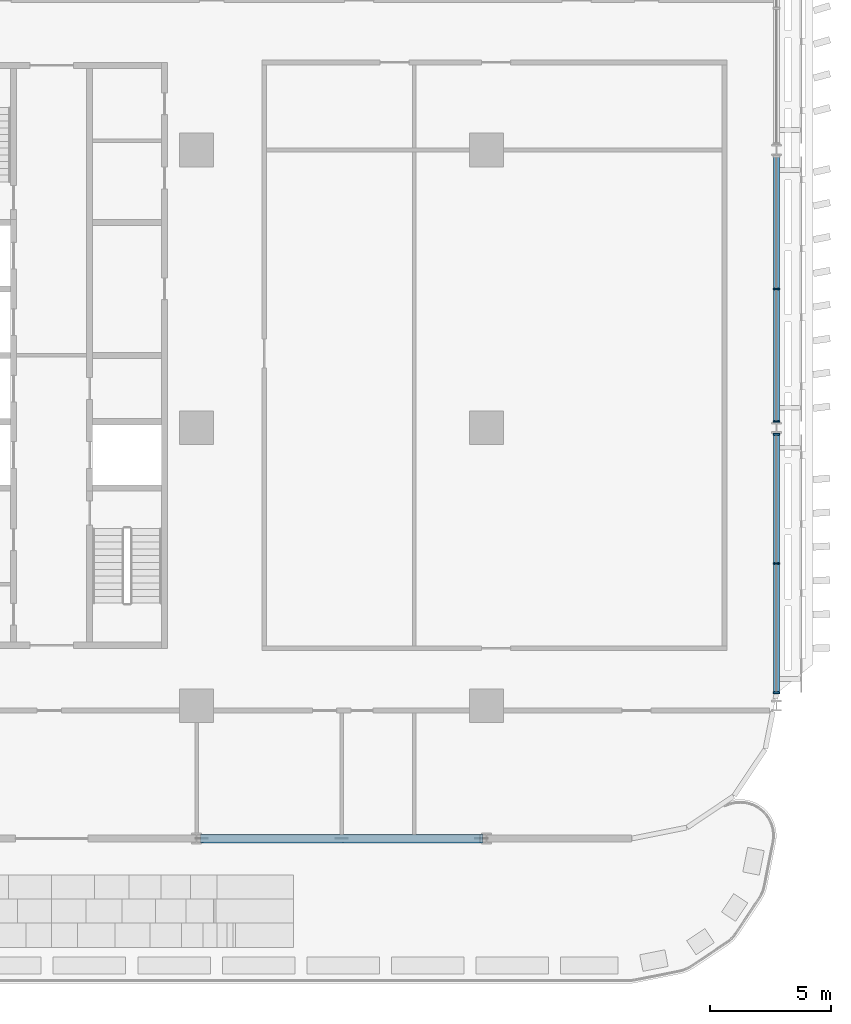
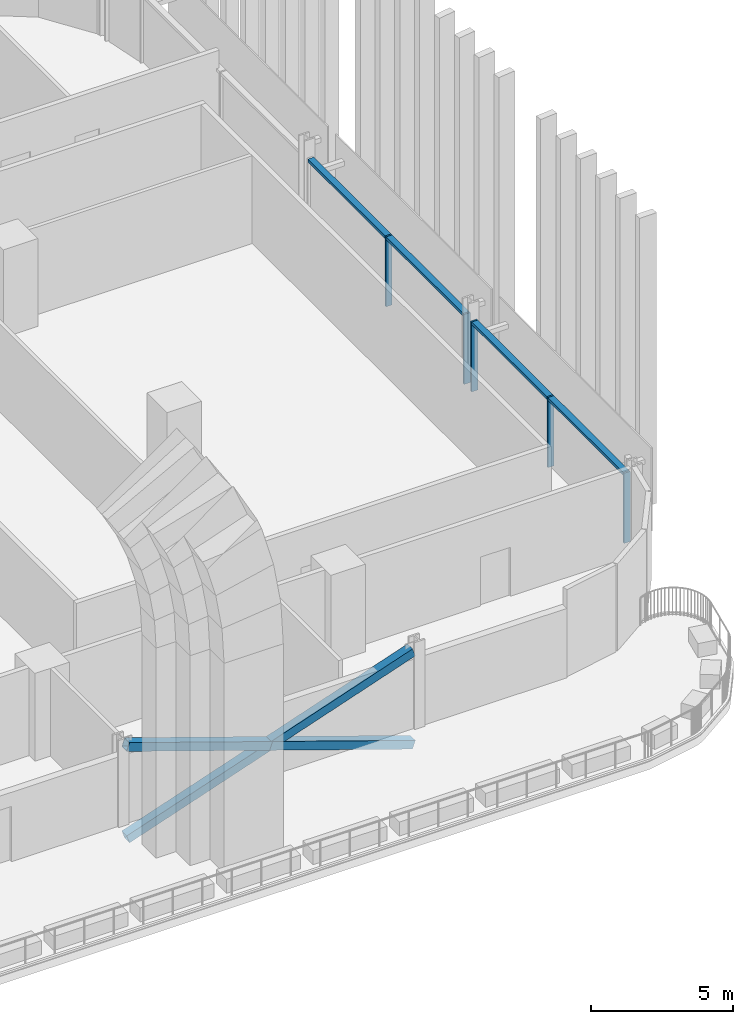
# One storey, part 7 of 31: 12 members, 2 elements without a shape of their own.
"""IFC4 building model written with IfcOpenShell, lengths in metres."""

from ifc_helpers import new_model, si_unit, direction, frame, origin, origin_2d, place, context, subcontext, project, spatial, rectangle, hollow_rectangle, extrude, material, material_profile, profile_set, type_object, element, aggregate, save


model = new_model("IFC4")

# Units and contexts
model_context = context("Model", 3, precision=1e-05, world=origin(), true_north=direction((0.0, 1.0)))
body_context = subcontext(model_context, "Body", "Model", "MODEL_VIEW")
ifc_project = project(units=[si_unit("LENGTHUNIT", "METRE"), si_unit("AREAUNIT", "SQUARE_METRE"), si_unit("VOLUMEUNIT", "CUBIC_METRE"), si_unit("PLANEANGLEUNIT", "RADIAN"), si_unit("MASSUNIT", "GRAM", prefix="KILO")], contexts=[model_context])

# Site, building, storey
site_placement = place(None, origin())
site = spatial("IfcSite", under=ifc_project, at=site_placement, CompositionType="ELEMENT")
building_placement = place(site_placement, origin())
building = spatial("IfcBuilding", under=site, at=building_placement, Name="Mahtab Terrace Research Tower", CompositionType="ELEMENT")
storey_placement = place(building_placement, frame((0.0, 0.0, 84.800048828125)))
storey = spatial("IfcBuildingStorey", under=building, at=storey_placement, Name="L19", CompositionType="ELEMENT", Elevation=84.800048828125)

# Members
ifc_material_1 = material(Name="Steel ASTM A500 Gr C", Category="steel")
ifc_material_profile_1 = material_profile(ifc_material_1, hollow_rectangle(XDim=0.355712890625, YDim=0.355712890625, WallThickness=0.01904296875, at=origin_2d()), Name="HSS14X14X3/4")
ifc_profile_set_1 = profile_set([ifc_material_profile_1], Name="Steel ASTM A500 Gr C")
member_type_1 = type_object("IfcMemberType", Name="HSS 14x14x3/4 brace XB141434", PredefinedType="BRACE", material=ifc_profile_set_1)
member_1_placement = place(storey_placement, frame((30.20947265625, -17.0, -0.64697265625), z_axis=(0.946292853795, 0.0, 0.323310740397), x_axis=(0.0, 1.0, 0.0)))
element("IfcMember", 1, at=member_1_placement, inside=storey, type_object=member_type_1, Name="Exoskeleton brace L19 18 a", PredefinedType="BRACE", context=body_context, shape_type="SweptSolid", body=[
    extrude(hollow_rectangle(XDim=0.355712890625, YDim=0.355712890625, WallThickness=0.01904296875, at=origin_2d()), origin(), (0.0, 0.0, 1.0), 12.23828125),
])
for number, where, z_axis, x_axis, name in (
    (2, (41.79052734375, -17.0, -0.64697265625), (-0.946286750388, 0.0, 0.323328603809), (0.0, -1.0, 0.0), "Exoskeleton brace L19 18 b1"),
    (3, (36.0, -17.0, 1.33154296875), (-0.946298956945, 0.0, 0.323292876639), (0.0, -1.0, 0.0), "Exoskeleton brace L19 18 b2"),
):
    element("IfcMember", number, at=place(storey_placement, frame(where, z_axis=z_axis, x_axis=x_axis)), inside=storey, type_object=member_type_1, Name=name, PredefinedType="BRACE", context=body_context, shape_type="SweptSolid", body=[
        extrude(hollow_rectangle(XDim=0.355712890625, YDim=0.355712890625, WallThickness=0.01904296875, at=origin_2d()), origin(), (0.0, 0.0, 1.0), 6.119140625),
    ])

# Curtain wall, members
ifc_material_2 = material(Name="Sky lounge full-height curtain wall")
curtain_wall_type = type_object("IfcCurtainWallType", Name="Sky lounge full-height curtain wall", PredefinedType="NOTDEFINED", material=ifc_material_2)
curtain_wall_1_placement = place(storey_placement, origin())
curtain_wall_1 = element("IfcCurtainWall", 4, at=curtain_wall_1_placement, inside=storey, type_object=curtain_wall_type, Name="EN.L19.18.36", PredefinedType="NOTDEFINED")
ifc_material_3 = material(Name="Natural anodised aluminium", Category="aluminium")
ifc_material_profile_2 = material_profile(ifc_material_3, rectangle(XDim=0.25, YDim=0.070068359375, at=origin_2d()), Name="MULLION 70x250")
ifc_profile_set_2 = profile_set([ifc_material_profile_2], Name="Natural anodised aluminium")
member_type_2 = type_object("IfcMemberType", Name="Sky lounge full-height curtain wall mullion", PredefinedType="MULLION", material=ifc_profile_set_2)
member_2_placement = place(storey_placement, frame((54.0, -10.965087890625, 0.0), z_axis=(0.0, 0.0, 1.0), x_axis=(-1.0, 0.0, 0.0)))
member_2 = element("IfcMember", 5, at=member_2_placement, type_object=member_type_2, Name="CWS-3 mullion 1", PredefinedType="MULLION", context=body_context, shape_type="SweptSolid", body=[
    extrude(rectangle(XDim=0.25, YDim=0.070068359375, at=origin_2d()), origin(), (0.0, 0.0, 1.0), 3.0029296875),
])
member_3_placement = place(storey_placement, frame((54.0, -5.614013671875, 0.0), z_axis=(0.0, 0.0, 1.0), x_axis=(-1.0, 0.0, 0.0)))
member_3 = element("IfcMember", 6, at=member_3_placement, type_object=member_type_2, Name="CWS-3 mullion 2", PredefinedType="MULLION", context=body_context, shape_type="SweptSolid", body=[
    extrude(rectangle(XDim=0.25, YDim=0.070068359375, at=origin_2d()), origin(), (0.0, 0.0, 1.0), 3.0029296875),
])
member_4_placement = place(storey_placement, frame((54.0, -0.262939453125, 0.0), z_axis=(0.0, 0.0, 1.0), x_axis=(-1.0, 0.0, 0.0)))
member_4 = element("IfcMember", 7, at=member_4_placement, type_object=member_type_2, Name="CWS-3 mullion 3", PredefinedType="MULLION", context=body_context, shape_type="SweptSolid", body=[
    extrude(rectangle(XDim=0.25, YDim=0.070068359375, at=origin_2d()), origin(), (0.0, 0.0, 1.0), 3.0029296875),
])

curtain_wall_2_placement = place(storey_placement, origin())
curtain_wall_2 = element("IfcCurtainWall", 8, at=curtain_wall_2_placement, inside=storey, type_object=curtain_wall_type, Name="EN.L19.18.37", PredefinedType="NOTDEFINED")
member_5_placement = place(storey_placement, frame((54.0, 0.262939453125, 0.0), z_axis=(0.0, 0.0, 1.0), x_axis=(-1.0, 0.0, 0.0)))
member_5 = element("IfcMember", 9, at=member_5_placement, type_object=member_type_2, Name="CWS-3 mullion 1", PredefinedType="MULLION", context=body_context, shape_type="SweptSolid", body=[
    extrude(rectangle(XDim=0.25, YDim=0.070068359375, at=origin_2d()), origin(), (0.0, 0.0, 1.0), 3.0029296875),
])
member_6_placement = place(storey_placement, frame((54.0, 5.75, 0.0), z_axis=(0.0, 0.0, 1.0), x_axis=(-1.0, 0.0, 0.0)))
member_6 = element("IfcMember", 10, at=member_6_placement, type_object=member_type_2, Name="CWS-3 mullion 2", PredefinedType="MULLION", context=body_context, shape_type="SweptSolid", body=[
    extrude(rectangle(XDim=0.25, YDim=0.070068359375, at=origin_2d()), origin(), (0.0, 0.0, 1.0), 3.0029296875),
])

# Member
ifc_material_profile_3 = material_profile(ifc_material_3, rectangle(XDim=0.25, YDim=0.1201171875, at=origin_2d()), Name="TRANSOM 120x250")
ifc_profile_set_3 = profile_set([ifc_material_profile_3], Name="Natural anodised aluminium")
member_type_3 = type_object("IfcMemberType", Name="Sky lounge full-height curtain wall transom", PredefinedType="USERDEFINED", material=ifc_profile_set_3)
member_7_placement = place(storey_placement, frame((54.0, -10.929931640625, 2.943115234375), z_axis=(0.0, 1.0, 0.0), x_axis=(-1.0, 0.0, 0.0)))
member_7 = element("IfcMember", 11, at=member_7_placement, type_object=member_type_3, Name="CWS-3 transom 1", ObjectType="TRANSOM", PredefinedType="USERDEFINED", context=body_context, shape_type="SweptSolid", body=[
    extrude(rectangle(XDim=0.25, YDim=0.1201171875, at=origin_2d()), origin(), (0.0, 0.0, 1.0), 5.281005859375),
])

member_8_placement = place(storey_placement, frame((54.0, -5.5791015625, 2.943115234375), z_axis=(0.0, 1.0, 0.0), x_axis=(-1.0, 0.0, 0.0)))
member_8 = element("IfcMember", 12, at=member_8_placement, type_object=member_type_3, Name="CWS-3 transom 2", ObjectType="TRANSOM", PredefinedType="USERDEFINED", context=body_context, shape_type="SweptSolid", body=[
    extrude(rectangle(XDim=0.25, YDim=0.1201171875, at=origin_2d()), origin(), (0.0, 0.0, 1.0), 5.281005859375),
])

aggregate(curtain_wall_1, [member_2, member_3, member_4, member_7, member_8])

member_9_placement = place(storey_placement, frame((54.0, 0.298095703125, 2.943115234375), z_axis=(0.0, 1.0, 0.0), x_axis=(-1.0, 0.0, 0.0)))
member_9 = element("IfcMember", 13, at=member_9_placement, type_object=member_type_3, Name="CWS-3 transom 1", ObjectType="TRANSOM", PredefinedType="USERDEFINED", context=body_context, shape_type="SweptSolid", body=[
    extrude(rectangle(XDim=0.25, YDim=0.1201171875, at=origin_2d()), origin(), (0.0, 0.0, 1.0), 5.4169921875),
])

member_10_placement = place(storey_placement, frame((54.0, 5.784912109375, 2.943115234375), z_axis=(0.0, 1.0, 0.0), x_axis=(-1.0, 0.0, 0.0)))
member_10 = element("IfcMember", 14, at=member_10_placement, type_object=member_type_3, Name="CWS-3 transom 2", ObjectType="TRANSOM", PredefinedType="USERDEFINED", context=body_context, shape_type="SweptSolid", body=[
    extrude(rectangle(XDim=0.25, YDim=0.1201171875, at=origin_2d()), origin(), (0.0, 0.0, 1.0), 5.4169921875),
])

aggregate(curtain_wall_2, [member_5, member_6, member_9, member_10])

save(model, "model.ifc")
